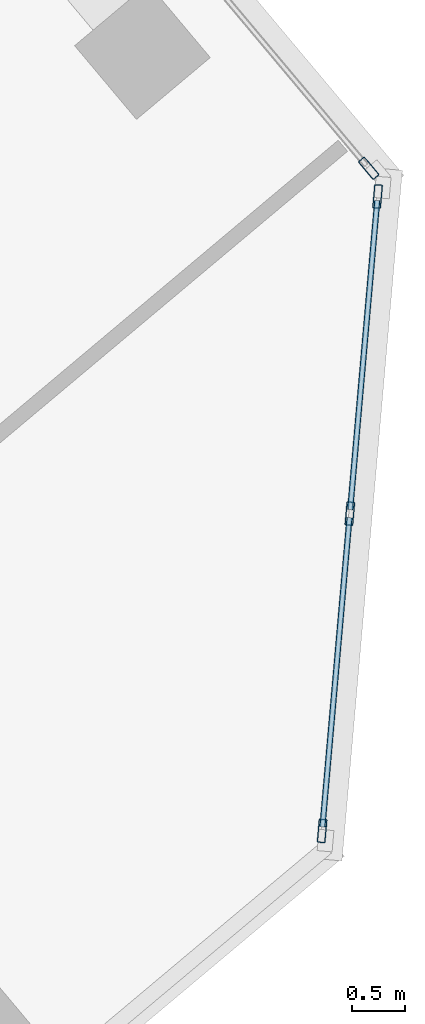
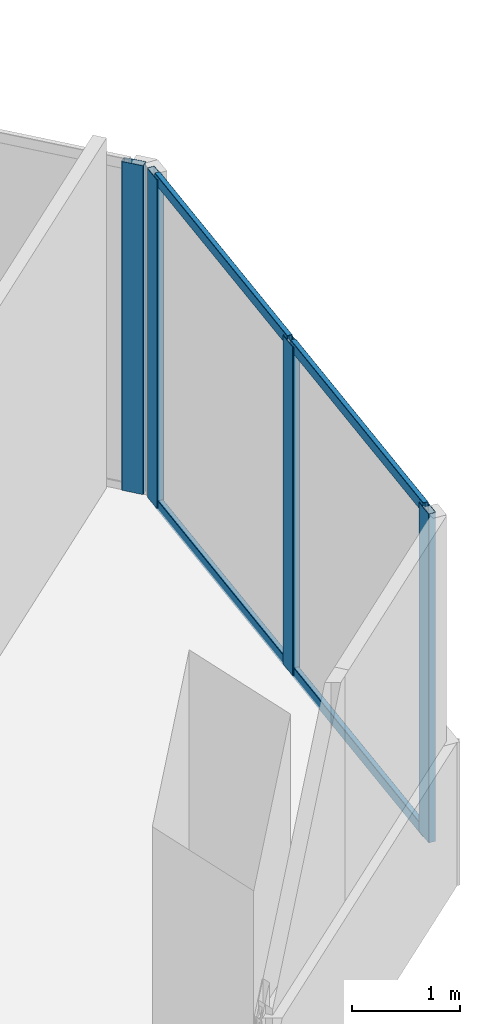
# One storey, part 6 of 17: 8 members, 2 elements without a shape of their own.
"""IFC4 building model written with IfcOpenShell, lengths in metres."""

from ifc_helpers import new_model, si_unit, direction, frame, origin, origin_2d, place, context, subcontext, project, spatial, hollow_rectangle, extrude, source, transform, mapped, material, material_profile, profile_set, type_object, element, aggregate, save


model = new_model("IFC4")

# Units and contexts
model_context = context("Model", 3, precision=1e-05, world=origin(), true_north=direction((0.0, 1.0)))
body_context = subcontext(model_context, "Body", "Model", "MODEL_VIEW")
ifc_project = project(units=[si_unit("LENGTHUNIT", "METRE"), si_unit("AREAUNIT", "SQUARE_METRE"), si_unit("VOLUMEUNIT", "CUBIC_METRE"), si_unit("PLANEANGLEUNIT", "RADIAN"), si_unit("MASSUNIT", "GRAM", prefix="KILO")], contexts=[model_context])

# Site, building, storey
site_placement = place(None, origin())
site = spatial("IfcSite", under=ifc_project, at=site_placement, CompositionType="ELEMENT")
building_placement = place(site_placement, origin())
building = spatial("IfcBuilding", under=site, at=building_placement, Name="Torre Montelarca", CompositionType="ELEMENT")
storey_placement = place(building_placement, frame((0.0, 0.0, 271.0)))
storey = spatial("IfcBuildingStorey", under=building, at=storey_placement, Name="L61", CompositionType="ELEMENT", Elevation=271.0)

# Curtain wall, members
ifc_material_1 = material(Name="Insulated low-E laminated glass", Category="glass")
curtain_wall_type = type_object("IfcCurtainWallType", Name="CW-SYS-Z3", PredefinedType="USERDEFINED", material=ifc_material_1)
curtain_wall_1_placement = place(storey_placement, origin())
curtain_wall_1 = element("IfcCurtainWall", 1, at=curtain_wall_1_placement, inside=storey, type_object=curtain_wall_type, Name="L61 Curtain Wall Run CW-T3-L61-E07-B1", ObjectType="UNITISED GLAZING", PredefinedType="USERDEFINED")
ifc_material_2 = material(Name="Anodised aluminium AA 6063-T6", Category="aluminium")
ifc_material_profile_1 = material_profile(ifc_material_2, hollow_rectangle(XDim=0.054931640625, YDim=0.1201171875, WallThickness=0.00341796875, InnerFilletRadius=0.00341796875, OuterFilletRadius=0.007080078125, at=origin_2d()), Name="ALU55X120X3.5", Category="aluminium")
ifc_profile_set_1 = profile_set([ifc_material_profile_1], Name="Anodised aluminium AA 6063-T6")
member_type_1 = type_object("IfcMemberType", Name="CWT-ALU120", PredefinedType="USERDEFINED", material=ifc_profile_set_1)
shared_shape_1 = source(origin(), body_context, "Body", "SweptSolid", [
    extrude(hollow_rectangle(XDim=0.054931640625, YDim=0.1201171875, WallThickness=0.00341796875, InnerFilletRadius=0.00341796875, OuterFilletRadius=0.007080078125, at=origin_2d()), origin(), (0.0, 0.0, 1.0), 2.903564453125),
])
member_1_placement = place(storey_placement, frame((44.10986328125, 23.378662109375, 0.027587890625), z_axis=(0.087191982893, 0.996191526826, 0.0), x_axis=(-0.996191526826, 0.087191982893, 0.0)))
member_1 = element("IfcMember", 2, at=member_1_placement, type_object=member_type_1, Name="CW transom 1.1", ObjectType="TRANSOM", PredefinedType="USERDEFINED", context=body_context, shape_type="MappedRepresentation", body=[
    mapped(shared_shape_1, transform((0.0, 0.0, 0.0), scale=1.0)),
])
member_2_placement = place(storey_placement, frame((44.10986328125, 23.378662109375, 3.6923828125), z_axis=(0.087191982893, 0.996191526826, 0.0), x_axis=(-0.996191526826, 0.087191982893, 0.0)))
member_2 = element("IfcMember", 3, at=member_2_placement, type_object=member_type_1, Name="CW transom 1.2", ObjectType="TRANSOM", PredefinedType="USERDEFINED", context=body_context, shape_type="MappedRepresentation", body=[
    mapped(shared_shape_1, transform((0.0, 0.0, 0.0), scale=1.0)),
])
shared_shape_2 = source(origin(), body_context, "Body", "SweptSolid", [
    extrude(hollow_rectangle(XDim=0.054931640625, YDim=0.1201171875, WallThickness=0.00341796875, InnerFilletRadius=0.00341796875, OuterFilletRadius=0.007080078125, at=origin_2d()), origin(), (0.0, 0.0, 1.0), 2.9033203125),
])
member_3_placement = place(storey_placement, frame((44.369384765625, 26.345947265625, 0.027587890625), z_axis=(0.08719928677, 0.996190887524, 0.0), x_axis=(-0.996190887524, 0.08719928677, 0.0)))
member_3 = element("IfcMember", 4, at=member_3_placement, type_object=member_type_1, Name="CW transom 2.1", ObjectType="TRANSOM", PredefinedType="USERDEFINED", context=body_context, shape_type="MappedRepresentation", body=[
    mapped(shared_shape_2, transform((0.0, 0.0, 0.0), scale=1.0)),
])
member_4_placement = place(storey_placement, frame((44.369384765625, 26.345947265625, 3.6923828125), z_axis=(0.08719928677, 0.996190887524, 0.0), x_axis=(-0.996190887524, 0.08719928677, 0.0)))
member_4 = element("IfcMember", 5, at=member_4_placement, type_object=member_type_1, Name="CW transom 2.2", ObjectType="TRANSOM", PredefinedType="USERDEFINED", context=body_context, shape_type="MappedRepresentation", body=[
    mapped(shared_shape_2, transform((0.0, 0.0, 0.0), scale=1.0)),
])
ifc_material_profile_2 = material_profile(ifc_material_2, hollow_rectangle(XDim=0.074951171875, YDim=0.219970703125, WallThickness=0.0048828125, InnerFilletRadius=0.0048828125, OuterFilletRadius=0.010009765625, at=origin_2d()), Name="ALU75X220X5", Category="aluminium")
ifc_profile_set_2 = profile_set([ifc_material_profile_2], Name="Anodised aluminium AA 6063-T6")
member_type_2 = type_object("IfcMemberType", Name="CWM-ALU220", PredefinedType="MULLION", material=ifc_profile_set_2)
shared_shape_3 = source(origin(), body_context, "Body", "SweptSolid", [
    extrude(hollow_rectangle(XDim=0.074951171875, YDim=0.219970703125, WallThickness=0.0048828125, InnerFilletRadius=0.0048828125, OuterFilletRadius=0.010009765625, at=origin_2d()), origin(), (0.0, 0.0, 1.0), 3.719970703125),
])
member_5_placement = place(storey_placement, frame((44.106689453125, 23.34130859375, 0.0), z_axis=(0.0, 0.0, 1.0), x_axis=(-0.996193789473, 0.087166127681, 0.0)))
member_5 = element("IfcMember", 6, at=member_5_placement, type_object=member_type_2, Name="CW mullion 1", PredefinedType="MULLION", context=body_context, shape_type="MappedRepresentation", body=[
    mapped(shared_shape_3, transform((0.0, 0.0, 0.0), scale=1.0)),
])
member_6_placement = place(storey_placement, frame((44.3662109375, 26.30859375, 0.0), z_axis=(0.0, 0.0, 1.0), x_axis=(-0.996193789473, 0.087166127681, 0.0)))
member_6 = element("IfcMember", 7, at=member_6_placement, type_object=member_type_2, Name="CW mullion 2", PredefinedType="MULLION", context=body_context, shape_type="MappedRepresentation", body=[
    mapped(shared_shape_3, transform((0.0, 0.0, 0.0), scale=1.0)),
])
member_7_placement = place(storey_placement, frame((44.625732421875, 29.275634765625, 0.0), z_axis=(0.0, 0.0, 1.0), x_axis=(-0.996193789473, 0.087166127681, 0.0)))
member_7 = element("IfcMember", 8, at=member_7_placement, type_object=member_type_2, Name="CW mullion 3", PredefinedType="MULLION", context=body_context, shape_type="MappedRepresentation", body=[
    mapped(shared_shape_3, transform((0.0, 0.0, 0.0), scale=1.0)),
])
aggregate(curtain_wall_1, [member_5, member_6, member_7, member_1, member_2, member_3, member_4])

# Curtain wall, member
curtain_wall_2_placement = place(storey_placement, origin())
curtain_wall_2 = element("IfcCurtainWall", 9, at=curtain_wall_2_placement, inside=storey, type_object=curtain_wall_type, Name="L61 Curtain Wall Run CW-T3-L61-E08-B1", ObjectType="UNITISED GLAZING", PredefinedType="USERDEFINED")
member_8_placement = place(storey_placement, frame((44.542724609375, 29.539306640625, 0.0), z_axis=(0.0, 0.0, 1.0), x_axis=(-0.766045629367, -0.642786195969, 0.0)))
member_8 = element("IfcMember", 10, at=member_8_placement, type_object=member_type_2, Name="CW mullion 1", PredefinedType="MULLION", context=body_context, shape_type="MappedRepresentation", body=[
    mapped(shared_shape_3, transform((0.0, 0.0, 0.0), scale=1.0)),
])
aggregate(curtain_wall_2, [member_8])

save(model, "model.ifc")
